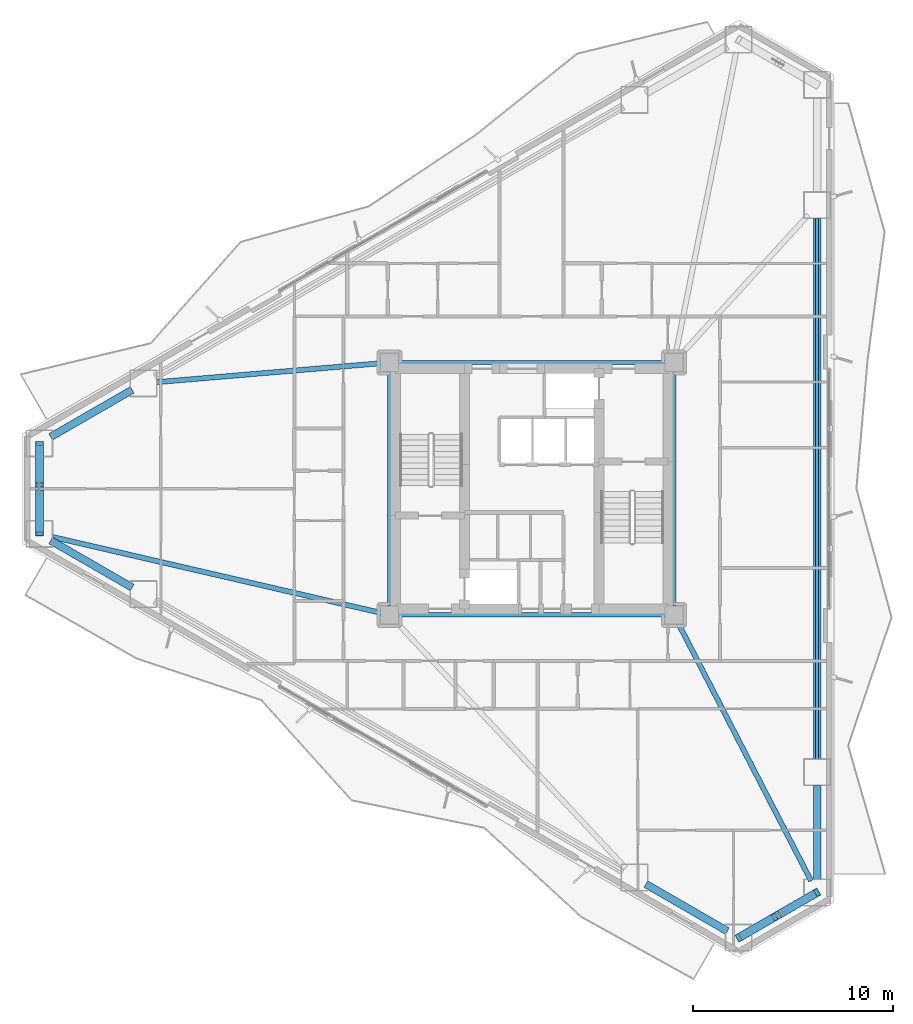
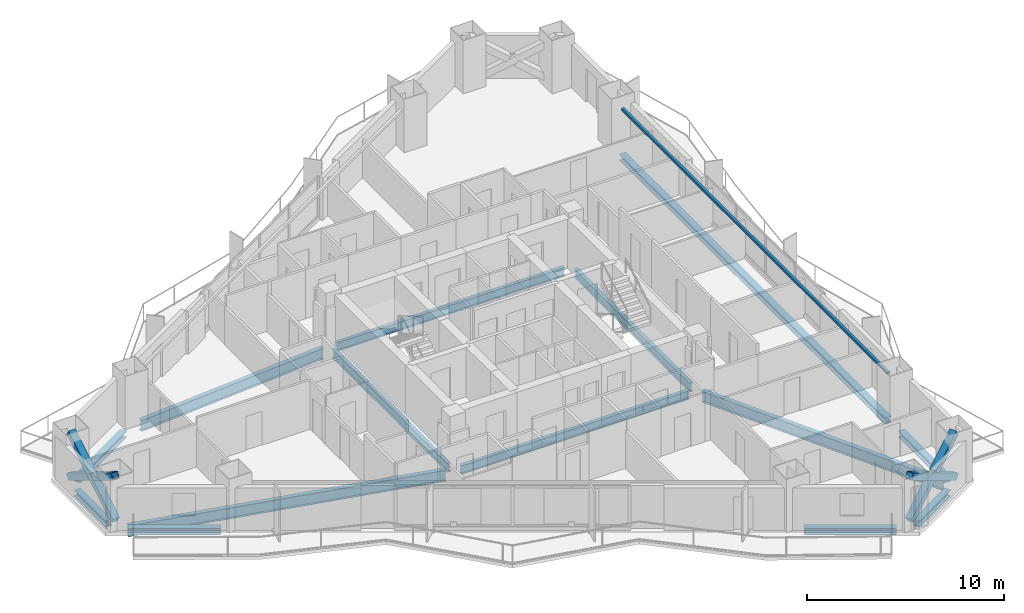
# One storey, part 5 of 19: 15 beams, 6 members.
"""IFC4 building model written with IfcOpenShell, lengths in metres."""

from ifc_helpers import new_model, si_unit, direction, frame, origin, origin_2d, place, context, subcontext, project, spatial, hollow_rectangle, i_section, extrude, material, material_profile, profile_set, type_object, element, save


model = new_model("IFC4")

# Units and contexts
model_context = context("Model", 3, precision=1e-05, world=origin(), true_north=direction((0.0, 1.0)))
body_context = subcontext(model_context, "Body", "Model", "MODEL_VIEW")
ifc_project = project(units=[si_unit("LENGTHUNIT", "METRE"), si_unit("AREAUNIT", "SQUARE_METRE"), si_unit("VOLUMEUNIT", "CUBIC_METRE"), si_unit("PLANEANGLEUNIT", "RADIAN"), si_unit("MASSUNIT", "GRAM", prefix="KILO")], contexts=[model_context])

# Site, building, storey
site_placement = place(None, origin())
site = spatial("IfcSite", under=ifc_project, at=site_placement, CompositionType="ELEMENT")
building_placement = place(site_placement, origin())
building = spatial("IfcBuilding", under=site, at=building_placement, Name="Mersakhor Tower and Convention Hall", CompositionType="ELEMENT")
storey_placement = place(building_placement, frame((0.0, 0.0, 42.300048828125)))
storey = spatial("IfcBuildingStorey", under=building, at=storey_placement, Name="L11", CompositionType="ELEMENT", Elevation=42.300048828125)

# Beams
ifc_material_1 = material(Name="Steel S355", Category="steel")
ifc_material_profile_1 = material_profile(ifc_material_1, i_section(OverallWidth=0.2099609375, OverallDepth=0.53662109375, WebThickness=0.0107421875, FlangeThickness=0.017333984375, at=origin_2d()), Name="UB 533x210x101")
ifc_profile_set_1 = profile_set([ifc_material_profile_1], Name="Steel S355")
beam_type_1 = type_object("IfcBeamType", Name="BM-FB-533", PredefinedType="BEAM", material=ifc_profile_set_1)
beam_1_placement = place(storey_placement, frame((21.89990234375, 20.8798828125, -0.5283203125), z_axis=(0.0, 1.0, 0.0), x_axis=(-1.0, 0.0, 0.0)))
element("IfcBeam", 1, at=beam_1_placement, inside=storey, type_object=beam_type_1, Name="L11 Core Ring Tie Beam CRB-1", PredefinedType="BEAM", context=body_context, shape_type="SweptSolid", body=[
    extrude(i_section(OverallWidth=0.2099609375, OverallDepth=0.53662109375, WebThickness=0.0107421875, FlangeThickness=0.017333984375, at=origin_2d()), origin(), (0.0, 0.0, 1.0), 11.740234375),
])
beam_2_placement = place(storey_placement, frame((22.330078125, 33.050048828125, -0.5283203125), z_axis=(1.0, 0.0, 0.0), x_axis=(0.0, 1.0, 0.0)))
element("IfcBeam", 2, at=beam_2_placement, inside=storey, type_object=beam_type_1, Name="L11 Core Ring Tie Beam CRB-2", PredefinedType="BEAM", context=body_context, shape_type="SweptSolid", body=[
    extrude(i_section(OverallWidth=0.2099609375, OverallDepth=0.53662109375, WebThickness=0.0107421875, FlangeThickness=0.017333984375, at=origin_2d()), origin(), (0.0, 0.0, 1.0), 13.33984375),
])
beam_3_placement = place(storey_placement, frame((36.10009765625, 32.6201171875, -0.5283203125), z_axis=(0.0, -1.0, 0.0), x_axis=(1.0, 0.0, 0.0)))
element("IfcBeam", 3, at=beam_3_placement, inside=storey, type_object=beam_type_1, Name="L11 Core Ring Tie Beam CRB-3", PredefinedType="BEAM", context=body_context, shape_type="SweptSolid", body=[
    extrude(i_section(OverallWidth=0.2099609375, OverallDepth=0.53662109375, WebThickness=0.0107421875, FlangeThickness=0.017333984375, at=origin_2d()), origin(), (0.0, 0.0, 1.0), 11.740234375),
])
beam_4_placement = place(storey_placement, frame((35.669921875, 20.449951171875, -0.5283203125), z_axis=(-1.0, 0.0, 0.0), x_axis=(0.0, -1.0, 0.0)))
element("IfcBeam", 4, at=beam_4_placement, inside=storey, type_object=beam_type_1, Name="L11 Core Ring Tie Beam CRB-4", PredefinedType="BEAM", context=body_context, shape_type="SweptSolid", body=[
    extrude(i_section(OverallWidth=0.2099609375, OverallDepth=0.53662109375, WebThickness=0.0107421875, FlangeThickness=0.017333984375, at=origin_2d()), origin(), (0.0, 0.0, 1.0), 13.33984375),
])
ifc_material_2 = material(Name="Steel S355", Category="steel")
ifc_material_profile_2 = material_profile(ifc_material_2, hollow_rectangle(XDim=0.14990234375, YDim=0.14990234375, WallThickness=0.010009765625, at=origin_2d()), Name="SHS 150x150x10")
ifc_profile_set_2 = profile_set([ifc_material_profile_2], Name="Steel S355")
beam_type_2 = type_object("IfcBeamType", Name="BM-GRT-SHS150", PredefinedType="USERDEFINED", material=ifc_profile_set_2)
beam_5_placement = place(storey_placement, frame((43.25, 40.24951171875, 2.47998046875), z_axis=(0.0, -1.0, 0.0), x_axis=(1.0, 0.0, 0.0)))
element("IfcBeam", 5, at=beam_5_placement, inside=storey, type_object=beam_type_2, Name="L11 Facade Support Girt GRT-F2", ObjectType="GIRT", PredefinedType="USERDEFINED", context=body_context, shape_type="SweptSolid", body=[
    extrude(hollow_rectangle(XDim=0.14990234375, YDim=0.14990234375, WallThickness=0.010009765625, at=origin_2d()), origin(), (0.0, 0.0, 1.0), 26.9990234375),
])
ifc_material_3 = material(Name="Steel S355", Category="steel")
ifc_material_profile_3 = material_profile(ifc_material_3, i_section(OverallWidth=0.25439453125, OverallDepth=0.6875, WebThickness=0.01318359375, FlangeThickness=0.02099609375, at=origin_2d()), Name="UB 686x254x152")
ifc_profile_set_3 = profile_set([ifc_material_profile_3], Name="Steel S355")
beam_type_3 = type_object("IfcBeamType", Name="BM-PR-686", PredefinedType="BEAM", material=ifc_profile_set_3)
beam_6_placement = place(storey_placement, frame((21.471435546875, 33.013916015625, -0.603759765625), z_axis=(-0.996458345442, -0.084087845732, 0.0), x_axis=(0.084087845732, -0.996458345442, 0.0)))
element("IfcBeam", 6, at=beam_6_placement, inside=storey, type_object=beam_type_3, Name="L11 Primary Floor Girder FG-1", PredefinedType="BEAM", context=body_context, shape_type="SweptSolid", body=[
    extrude(i_section(OverallWidth=0.25439453125, OverallDepth=0.6875, WebThickness=0.01318359375, FlangeThickness=0.02099609375, at=origin_2d()), origin(), (0.0, 0.0, 1.0), 11.241943359375),
])
beam_7_placement = place(storey_placement, frame((36.297119140625, 20.06787109375, -0.603759765625), z_axis=(0.458368239331, -0.888762373851, 0.0), x_axis=(0.888762373851, 0.458368239331, 0.0)))
element("IfcBeam", 7, at=beam_7_placement, inside=storey, type_object=beam_type_3, Name="L11 Primary Floor Girder FG-4", PredefinedType="BEAM", context=body_context, shape_type="SweptSolid", body=[
    extrude(i_section(OverallWidth=0.25439453125, OverallDepth=0.6875, WebThickness=0.01318359375, FlangeThickness=0.02099609375, at=origin_2d()), origin(), (0.0, 0.0, 1.0), 14.513671875),
])
beam_8_placement = place(storey_placement, frame((21.48095703125, 20.546875, -0.603759765625), z_axis=(-0.974327224334, 0.225136536175, 0.0), x_axis=(-0.225136536175, -0.974327224334, 0.0)))
element("IfcBeam", 8, at=beam_8_placement, inside=storey, type_object=beam_type_3, Name="L11 Primary Floor Girder FG-6", PredefinedType="BEAM", context=body_context, shape_type="SweptSolid", body=[
    extrude(i_section(OverallWidth=0.25439453125, OverallDepth=0.6875, WebThickness=0.01318359375, FlangeThickness=0.02099609375, at=origin_2d()), origin(), (0.0, 0.0, 1.0), 16.862548828125),
])
ifc_material_4 = material(Name="Steel S355", Category="steel")
ifc_material_profile_4 = material_profile(ifc_material_4, i_section(OverallWidth=0.374755859375, OverallDepth=0.37451171875, WebThickness=0.0166015625, FlangeThickness=0.027099609375, at=origin_2d()), Name="UC 356x368x202")
ifc_profile_set_4 = profile_set([ifc_material_profile_4], Name="Steel S355")
beam_type_4 = type_object("IfcBeamType", Name="BM-SPD-UC356", PredefinedType="SPANDREL", material=ifc_profile_set_4)
beam_9_placement = place(storey_placement, frame((4.980224609375, 29.3369140625, -0.447265625), z_axis=(0.86605407247, 0.499950341091, 0.0), x_axis=(-0.499950341091, 0.86605407247, 0.0)))
element("IfcBeam", 9, at=beam_9_placement, inside=storey, type_object=beam_type_4, Name="L11 Perimeter Spandrel Beam SPB-01", PredefinedType="SPANDREL", context=body_context, shape_type="SweptSolid", body=[
    extrude(i_section(OverallWidth=0.374755859375, OverallDepth=0.37451171875, WebThickness=0.0166015625, FlangeThickness=0.027099609375, at=origin_2d()), origin(), (0.0, 0.0, 1.0), 4.69873046875),
])
beam_10_placement = place(storey_placement, frame((43.25, 40.24951171875, -0.447265625), z_axis=(0.0, -1.0, 0.0), x_axis=(1.0, 0.0, 0.0)))
element("IfcBeam", 10, at=beam_10_placement, inside=storey, type_object=beam_type_4, Name="L11 Perimeter Spandrel Beam SPB-06", PredefinedType="SPANDREL", context=body_context, shape_type="SweptSolid", body=[
    extrude(i_section(OverallWidth=0.374755859375, OverallDepth=0.37451171875, WebThickness=0.0166015625, FlangeThickness=0.027099609375, at=origin_2d()), origin(), (0.0, 0.0, 1.0), 26.9990234375),
])
beam_11_placement = place(storey_placement, frame((43.25, 11.9404296875, -0.447265625), z_axis=(0.0, -1.0, 0.0), x_axis=(1.0, 0.0, 0.0)))
element("IfcBeam", 11, at=beam_11_placement, inside=storey, type_object=beam_type_4, Name="L11 Perimeter Spandrel Beam SPB-07", PredefinedType="SPANDREL", context=body_context, shape_type="SweptSolid", body=[
    extrude(i_section(OverallWidth=0.374755859375, OverallDepth=0.37451171875, WebThickness=0.0166015625, FlangeThickness=0.027099609375, at=origin_2d()), origin(), (0.0, 0.0, 1.0), 4.69873046875),
])
beam_12_placement = place(storey_placement, frame((42.682861328125, 6.25927734375, -0.447265625), z_axis=(-0.866038607556, -0.4999771297, 0.0), x_axis=(0.4999771297, -0.866038607556, 0.0)))
element("IfcBeam", 12, at=beam_12_placement, inside=storey, type_object=beam_type_4, Name="L11 Perimeter Spandrel Beam SPB-08", PredefinedType="SPANDREL", context=body_context, shape_type="SweptSolid", body=[
    extrude(i_section(OverallWidth=0.374755859375, OverallDepth=0.37451171875, WebThickness=0.0166015625, FlangeThickness=0.027099609375, at=origin_2d()), origin(), (0.0, 0.0, 1.0), 3.208740234375),
])
for number, where, z_axis, x_axis, name in (
    (13, (38.769775390625, 4.655029296875, -0.447265625), (-0.866031574723, 0.499989311469, 0.0), (-0.499989311469, -0.866031574723, 0.0), "L11 Perimeter Spandrel Beam SPB-09"),
    (14, (9.049560546875, 21.81396484375, -0.447265625), (-0.86605407247, 0.499950341091, 0.0), (-0.499950341091, -0.86605407247, 0.0), "L11 Perimeter Spandrel Beam SPB-11"),
):
    element("IfcBeam", number, at=place(storey_placement, frame(where, z_axis=z_axis, x_axis=x_axis)), inside=storey, type_object=beam_type_4, Name=name, PredefinedType="SPANDREL", context=body_context, shape_type="SweptSolid", body=[
        extrude(i_section(OverallWidth=0.374755859375, OverallDepth=0.37451171875, WebThickness=0.0166015625, FlangeThickness=0.027099609375, at=origin_2d()), origin(), (0.0, 0.0, 1.0), 4.69873046875),
    ])
beam_13_placement = place(storey_placement, frame((4.4130859375, 25.145751953125, -0.447265625), z_axis=(0.0, 1.0, 0.0), x_axis=(-1.0, 0.0, 0.0)))
element("IfcBeam", 15, at=beam_13_placement, inside=storey, type_object=beam_type_4, Name="L11 Perimeter Spandrel Beam SPB-12", PredefinedType="SPANDREL", context=body_context, shape_type="SweptSolid", body=[
    extrude(i_section(OverallWidth=0.374755859375, OverallDepth=0.37451171875, WebThickness=0.0166015625, FlangeThickness=0.027099609375, at=origin_2d()), origin(), (0.0, 0.0, 1.0), 3.20849609375),
])

# Members
ifc_material_5 = material(Name="Steel S460", Category="steel")
ifc_material_profile_5 = material_profile(ifc_material_5, hollow_rectangle(XDim=0.39990234375, YDim=0.39990234375, WallThickness=0.02490234375, at=origin_2d()), Name="SHS 400x400x25")
ifc_profile_set_5 = profile_set([ifc_material_profile_5], Name="Steel S460")
member_type = type_object("IfcMemberType", Name="MB-BRC-SHS400", PredefinedType="BRACE", material=ifc_profile_set_5)
member_1_placement = place(storey_placement, frame((43.25, 6.586669921875, 0.14990234375), z_axis=(-0.740507772322, -0.427542982597, 0.518512523632), x_axis=(0.500009315796, -0.86602002524, 0.0)))
element("IfcMember", 16, at=member_1_placement, inside=storey, type_object=member_type, Name="L11 Chamfer Braced Frame Diagonal CB-2A", PredefinedType="BRACE", context=body_context, shape_type="SweptSolid", body=[
    extrude(hollow_rectangle(XDim=0.39990234375, YDim=0.39990234375, WallThickness=0.02490234375, at=origin_2d()), origin(), (0.0, 0.0, 1.0), 5.284423828125),
])
member_2_placement = place(storey_placement, frame((39.3369140625, 4.327392578125, 0.14990234375), z_axis=(0.740473193976, 0.427601478974, 0.51851366827), x_axis=(-0.500078132948, 0.865980289006, 0.0)))
element("IfcMember", 17, at=member_2_placement, inside=storey, type_object=member_type, Name="L11 Chamfer Braced Frame Diagonal CB-2B Lower Half", PredefinedType="BRACE", context=body_context, shape_type="SweptSolid", body=[
    extrude(hollow_rectangle(XDim=0.39990234375, YDim=0.39990234375, WallThickness=0.02490234375, at=origin_2d()), origin(), (0.0, 0.0, 1.0), 2.408935546875),
])
member_3_placement = place(storey_placement, frame((41.46630859375, 5.556884765625, 1.64111328125), z_axis=(0.740544200614, 0.427541122117, 0.51846202931), x_axis=(-0.499989236795, 0.866031617834, 0.0)))
element("IfcMember", 18, at=member_3_placement, inside=storey, type_object=member_type, Name="L11 Chamfer Braced Frame Diagonal CB-2B Upper Half", PredefinedType="BRACE", context=body_context, shape_type="SweptSolid", body=[
    extrude(hollow_rectangle(XDim=0.39990234375, YDim=0.39990234375, WallThickness=0.02490234375, at=origin_2d()), origin(), (0.0, 0.0, 1.0), 2.40869140625),
])
member_4_placement = place(storey_placement, frame((4.4130859375, 24.49072265625, 0.14990234375), z_axis=(0.0, 0.855074317009, 0.51850546033), x_axis=(-1.0, 0.0, 0.0)))
element("IfcMember", 19, at=member_4_placement, inside=storey, type_object=member_type, Name="L11 Chamfer Braced Frame Diagonal CB-3A", PredefinedType="BRACE", context=body_context, shape_type="SweptSolid", body=[
    extrude(hollow_rectangle(XDim=0.39990234375, YDim=0.39990234375, WallThickness=0.02490234375, at=origin_2d()), origin(), (0.0, 0.0, 1.0), 5.284423828125),
])
for number, where, z_axis, x_axis, name in (
    (20, (4.4130859375, 29.00927734375, 0.14990234375), (0.0, -0.855050764291, 0.518544299444), (1.0, 0.0, 0.0), "L11 Chamfer Braced Frame Diagonal CB-3B Lower Half"),
    (21, (4.4130859375, 26.55029296875, 1.64111328125), (0.0, -0.855095703444, 0.518470190032), (1.0, 0.0, 0.0), "L11 Chamfer Braced Frame Diagonal CB-3B Upper Half"),
):
    element("IfcMember", number, at=place(storey_placement, frame(where, z_axis=z_axis, x_axis=x_axis)), inside=storey, type_object=member_type, Name=name, PredefinedType="BRACE", context=body_context, shape_type="SweptSolid", body=[
        extrude(hollow_rectangle(XDim=0.39990234375, YDim=0.39990234375, WallThickness=0.02490234375, at=origin_2d()), origin(), (0.0, 0.0, 1.0), 2.40869140625),
    ])

save(model, "model.ifc")
